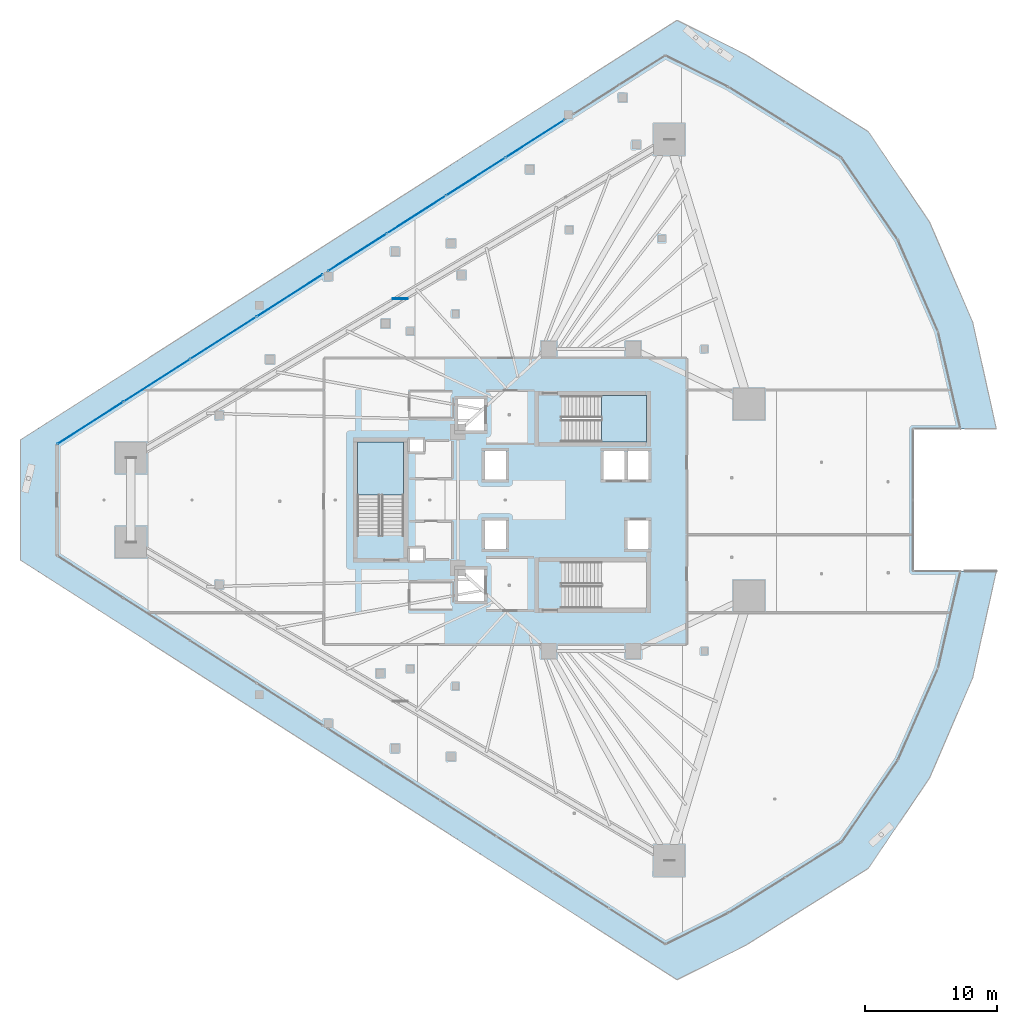
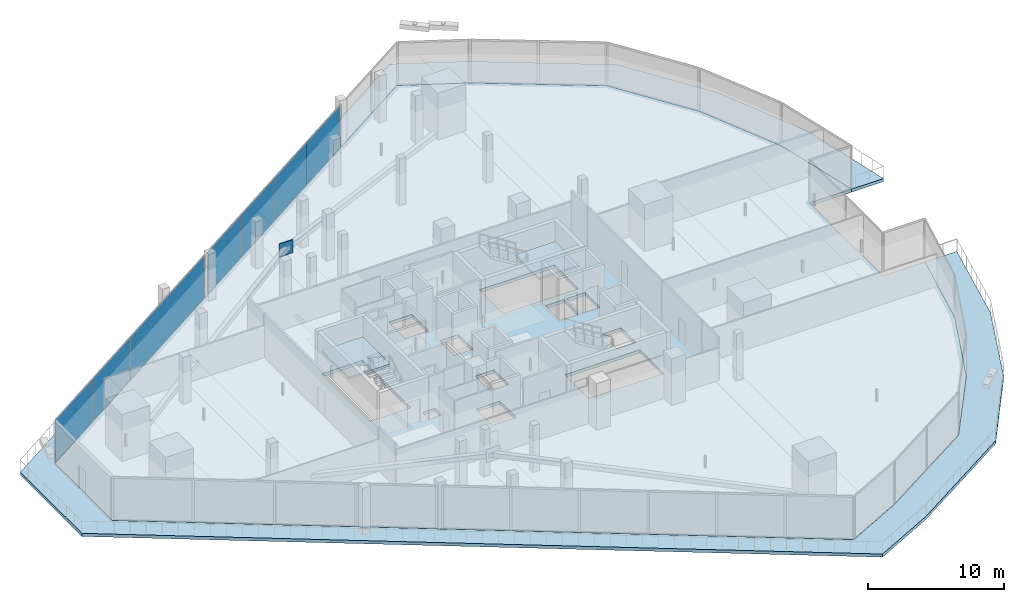
# One storey, part 28 of 43: 9 plates, 4 slabs, 4 elements without a shape of their own.
"""IFC4 building model written with IfcOpenShell, lengths in metres."""

from ifc_helpers import new_model, si_unit, direction, frame, origin, origin_2d, place, context, subcontext, project, spatial, polyline, rectangle, outline, extrude, material, layer, layer_set, type_object, element, aggregate, save


model = new_model("IFC4")

# Units and contexts
model_context = context("Model", 3, precision=1e-05, world=origin(), true_north=direction((0.0, 1.0)))
body_context = subcontext(model_context, "Body", "Model", "MODEL_VIEW")
ifc_project = project(units=[si_unit("LENGTHUNIT", "METRE"), si_unit("AREAUNIT", "SQUARE_METRE"), si_unit("VOLUMEUNIT", "CUBIC_METRE"), si_unit("PLANEANGLEUNIT", "RADIAN"), si_unit("MASSUNIT", "GRAM", prefix="KILO")], contexts=[model_context])

# Site, building, storey
site_placement = place(None, origin())
site = spatial("IfcSite", under=ifc_project, at=site_placement, CompositionType="ELEMENT")
building_placement = place(site_placement, origin())
building = spatial("IfcBuilding", under=site, at=building_placement, Name="Qorvath Tower", CompositionType="ELEMENT")
storey_placement = place(building_placement, frame((0.0, 0.0, 36.60009765625)))
storey = spatial("IfcBuildingStorey", under=building, at=storey_placement, Name="L07", CompositionType="ELEMENT", Elevation=36.60009765625)

# Curtain wall, plates
ifc_material_1 = material(Name="Anodised aluminium and triple low-E glass", Category="aluminium")
ifc_layer_1 = layer(ifc_material_1, 0.179931640625)
ifc_layer_set_1 = layer_set([ifc_layer_1], Name="CW-SYS-2")
curtain_wall_type = type_object("IfcCurtainWallType", Name="CW-SYS-2", PredefinedType="NOTDEFINED", material=ifc_layer_set_1)
curtain_wall_1_placement = place(storey_placement, origin())
curtain_wall_1 = element("IfcCurtainWall", 1, at=curtain_wall_1_placement, inside=storey, type_object=curtain_wall_type, Name="Curtain Wall CW-2 CW-T-L07-16.2", PredefinedType="NOTDEFINED")
ifc_material_2 = material(Name="Low-E triple insulated glass", Category="glass")
ifc_layer_2 = layer(ifc_material_2, 0.031982421875)
ifc_layer_set_2 = layer_set([ifc_layer_2], Name="CWP-GLZ-32")
plate_type_1 = type_object("IfcPlateType", Name="CWP-GLZ-32", PredefinedType="CURTAIN_PANEL", material=ifc_layer_set_2)
plate_1_placement = place(storey_placement, frame((-24.640869140625, 27.38818359375, 0.06494140625), z_axis=(0.0, 0.0, 1.0), x_axis=(-0.842603316479, -0.538534725955, 0.0)))
plate_1 = element("IfcPlate", 2, at=plate_1_placement, type_object=plate_type_1, Name="CW-2 panel 1.1", PredefinedType="CURTAIN_PANEL", context=body_context, shape_type="SweptSolid", body=[
    extrude(rectangle(XDim=5.24560546875, YDim=0.031982421875, at=origin_2d()), origin(), (0.0, 0.0, 1.0), 3.789794921875),
])
plate_2_placement = place(storey_placement, frame((-29.12939453125, 24.51953125, 0.06494140625), z_axis=(0.0, 0.0, 1.0), x_axis=(-0.842603316479, -0.538534725955, 0.0)))
plate_2 = element("IfcPlate", 3, at=plate_2_placement, type_object=plate_type_1, Name="CW-2 panel 2.1", PredefinedType="CURTAIN_PANEL", context=body_context, shape_type="SweptSolid", body=[
    extrude(rectangle(XDim=5.2783203125, YDim=0.031982421875, at=origin_2d()), origin(), (0.0, 0.0, 1.0), 3.789794921875),
])
plate_3_placement = place(storey_placement, frame((-33.631591796875, 21.641845703125, 0.06494140625), z_axis=(0.0, 0.0, 1.0), x_axis=(-0.842603316479, -0.538534725955, 0.0)))
plate_3 = element("IfcPlate", 4, at=plate_3_placement, type_object=plate_type_1, Name="CW-2 panel 3.1", PredefinedType="CURTAIN_PANEL", context=body_context, shape_type="SweptSolid", body=[
    extrude(rectangle(XDim=5.2783203125, YDim=0.031982421875, at=origin_2d()), origin(), (0.0, 0.0, 1.0), 3.789794921875),
])
plate_4_placement = place(storey_placement, frame((-38.1201171875, 18.773193359375, 0.06494140625), z_axis=(0.0, 0.0, 1.0), x_axis=(-0.842603316479, -0.538534725955, 0.0)))
plate_4 = element("IfcPlate", 5, at=plate_4_placement, type_object=plate_type_1, Name="CW-2 panel 4.1", PredefinedType="CURTAIN_PANEL", context=body_context, shape_type="SweptSolid", body=[
    extrude(rectangle(XDim=5.24560546875, YDim=0.031982421875, at=origin_2d()), origin(), (0.0, 0.0, 1.0), 3.789794921875),
])
aggregate(curtain_wall_1, [plate_1, plate_2, plate_3, plate_4])

curtain_wall_2_placement = place(storey_placement, origin())
curtain_wall_2 = element("IfcCurtainWall", 6, at=curtain_wall_2_placement, inside=storey, type_object=curtain_wall_type, Name="Curtain Wall CW-2 CW-T-L07-16.3", PredefinedType="NOTDEFINED")
plate_5_placement = place(storey_placement, frame((-43.240966796875, 15.5, 0.06494140625), z_axis=(0.0, 0.0, 1.0), x_axis=(-0.84260714152, -0.538528741164, 0.0)))
plate_5 = element("IfcPlate", 7, at=plate_5_placement, type_object=plate_type_1, Name="CW-2 panel 1.1", PredefinedType="CURTAIN_PANEL", context=body_context, shape_type="SweptSolid", body=[
    extrude(rectangle(XDim=5.895751953125, YDim=0.031982421875, at=origin_2d()), origin(), (0.0, 0.0, 1.0), 3.789794921875),
])
plate_6_placement = place(storey_placement, frame((-48.27734375, 12.28125, 0.06494140625), z_axis=(0.0, 0.0, 1.0), x_axis=(-0.84260714152, -0.538528741164, 0.0)))
plate_6 = element("IfcPlate", 8, at=plate_6_placement, type_object=plate_type_1, Name="CW-2 panel 2.1", PredefinedType="CURTAIN_PANEL", context=body_context, shape_type="SweptSolid", body=[
    extrude(rectangle(XDim=5.92822265625, YDim=0.031982421875, at=origin_2d()), origin(), (0.0, 0.0, 1.0), 3.789794921875),
])
plate_7_placement = place(storey_placement, frame((-53.327392578125, 9.0537109375, 0.06494140625), z_axis=(0.0, 0.0, 1.0), x_axis=(-0.84260714152, -0.538528741164, 0.0)))
plate_7 = element("IfcPlate", 9, at=plate_7_placement, type_object=plate_type_1, Name="CW-2 panel 3.1", PredefinedType="CURTAIN_PANEL", context=body_context, shape_type="SweptSolid", body=[
    extrude(rectangle(XDim=5.92822265625, YDim=0.031982421875, at=origin_2d()), origin(), (0.0, 0.0, 1.0), 3.789794921875),
])
plate_8_placement = place(storey_placement, frame((-58.363525390625, 5.8349609375, 0.06494140625), z_axis=(0.0, 0.0, 1.0), x_axis=(-0.84260714152, -0.538528741164, 0.0)))
plate_8 = element("IfcPlate", 10, at=plate_8_placement, type_object=plate_type_1, Name="CW-2 panel 4.1", PredefinedType="CURTAIN_PANEL", context=body_context, shape_type="SweptSolid", body=[
    extrude(rectangle(XDim=5.895751953125, YDim=0.031982421875, at=origin_2d()), origin(), (0.0, 0.0, 1.0), 3.789794921875),
])
aggregate(curtain_wall_2, [plate_5, plate_6, plate_7, plate_8])

# Plate
ifc_material_3 = material(Name="Steel ASTM A572 Grade 50", Category="steel")
ifc_layer_3 = layer(ifc_material_3, 0.054931640625)
ifc_layer_set_3 = layer_set([ifc_layer_3], Name="PL-MBN1")
plate_type_2 = type_object("IfcPlateType", Name="PL-MBN1", PredefinedType="USERDEFINED", material=ifc_layer_set_3)
plate_9_placement = place(storey_placement, frame((-34.873779296875, 15.2626953125, 2.9697265625), z_axis=(0.0, 0.0, 1.0), x_axis=(1.0, 0.0, 0.0)))
element("IfcPlate", 11, at=plate_9_placement, inside=storey, type_object=plate_type_2, Name="Mega-Brace Chevron Apex Gusset L07-1", ObjectType="GUSSET", PredefinedType="USERDEFINED", context=body_context, shape_type="SweptSolid", body=[
    extrude(rectangle(XDim=1.14990234375, YDim=0.054931640625, at=origin_2d()), origin(), (0.0, 0.0, 1.0), 1.199951171875),
])

# Stair, slab
ifc_material_4 = material(Name="Concrete C50/60", Category="concrete")
stair_type = type_object("IfcStairType", Name="ST-H420", PredefinedType="HALF_TURN_STAIR", material=ifc_material_4)
stair_1_placement = place(storey_placement, origin())
stair_1 = element("IfcStair", 12, at=stair_1_placement, inside=storey, type_object=stair_type, Name="L07 Tower Exit Stair 1", PredefinedType="HALF_TURN_STAIR")
ifc_material_5 = material(Name="Concrete C50/60", Category="concrete")
ifc_layer_4 = layer(ifc_material_5, 0.199951171875)
ifc_layer_set_4 = layer_set([ifc_layer_4], Name="SL-LND-200")
slab_type_1 = type_object("IfcSlabType", Name="SL-LND-200", PredefinedType="LANDING", material=ifc_layer_set_4)
slab_1_placement = place(storey_placement, frame((0.0, 0.0, 1.89990234375)))
slab_1 = element("IfcSlab", 13, at=slab_1_placement, type_object=slab_type_1, Name="TS1 landing 1", PredefinedType="LANDING", context=body_context, shape_type="SweptSolid", body=[
    extrude(outline(polyline([(-19.590087890625, 4.39990234375), (-16.199951171875, 4.39990234375), (-16.199951171875, 7.909912109375), (-19.590087890625, 7.909912109375), (-19.590087890625, 4.39990234375)])), origin(), (0.0, 0.0, 1.0), 0.199951171875),
])
aggregate(stair_1, [slab_1])

stair_2_placement = place(storey_placement, origin())
stair_2 = element("IfcStair", 14, at=stair_2_placement, inside=storey, type_object=stair_type, Name="L07 Tower Exit Stair 3", PredefinedType="HALF_TURN_STAIR")
slab_2_placement = place(storey_placement, frame((0.0, 0.0, 1.89990234375)))
slab_2 = element("IfcSlab", 15, at=slab_2_placement, type_object=slab_type_1, Name="TS3 landing 1", PredefinedType="LANDING", context=body_context, shape_type="SweptSolid", body=[
    extrude(outline(polyline([(-34.60009765625, 0.360107421875), (-34.60009765625, 4.39990234375), (-38.110107421875, 4.39990234375), (-38.110107421875, 0.360107421875), (-34.60009765625, 0.360107421875)])), origin(), (0.0, 0.0, 1.0), 0.199951171875),
])
aggregate(stair_2, [slab_2])

# Slabs
ifc_material_6 = material(Name="Precast concrete C45/55", Category="concrete")
ifc_layer_5 = layer(ifc_material_6, 0.280029296875)
ifc_layer_set_5 = layer_set([ifc_layer_5], Name="SL-LOG-280")
slab_type_2 = type_object("IfcSlabType", Name="SL-LOG-280", PredefinedType="FLOOR", material=ifc_layer_set_5)
slab_3_placement = place(storey_placement, frame((0.0, 0.0, -0.280029296875)))
element("IfcSlab", 16, at=slab_3_placement, inside=storey, type_object=slab_type_2, Name="Tower L07 Perimeter Loggia and Terrace Slab", PredefinedType="FLOOR", context=body_context, shape_type="SweptSolid", body=[
    extrude(outline(polyline([(7.604736328125, -5.39990234375), (5.906982421875, -12.77001953125), (2.873291015625, -19.697998046875), (-1.39111328125, -25.94384765625), (-9.952880859375, -31.291748046875), (-14.76708984375, -33.69873046875), (-60.90234375, -4.21240234375), (-60.90234375, 4.21240234375), (-14.76708984375, 33.69873046875), (-9.952880859375, 31.291748046875), (-1.39111328125, 25.94384765625), (2.873291015625, 19.697998046875), (5.906982421875, 12.77001953125), (7.604736328125, 5.39990234375), (10.32080078125, 5.39990234375), (8.53369140625, 13.473876953125), (5.263427734375, 21.068603515625), (0.6259765625, 27.9150390625), (-8.682373046875, 33.769287109375), (-13.877685546875, 36.3671875), (-63.666015625, 4.5458984375), (-63.666015625, -4.5458984375), (-13.877685546875, -36.3671875), (-8.682373046875, -33.769287109375), (0.6259765625, -27.9150390625), (5.263427734375, -21.068603515625), (8.53369140625, -13.473876953125), (10.32080078125, -5.39990234375), (7.604736328125, -5.39990234375)])), origin(), (0.0, 0.0, 1.0), 0.280029296875),
])
ifc_material_7 = material(Name="Concrete C45/55", Category="concrete")
ifc_layer_6 = layer(ifc_material_7, 0.280029296875)
ifc_layer_set_6 = layer_set([ifc_layer_6], Name="SL-TYP-280")
slab_type_3 = type_object("IfcSlabType", Name="SL-TYP-280", PredefinedType="FLOOR", material=ifc_layer_set_6)
slab_4_placement = place(storey_placement, frame((0.0, 0.0, -0.280029296875)))
element("IfcSlab", 17, at=slab_4_placement, inside=storey, type_object=slab_type_3, Name="Tower L07 Interior Floor Slab", PredefinedType="FLOOR", context=body_context, shape_type="SweptSolid", body=[
    extrude(outline(polyline([(-60.90234375, 4.21240234375), (-60.90234375, -4.21240234375), (-14.76708984375, -33.69873046875), (-9.952880859375, -31.291748046875), (-1.39111328125, -25.94384765625), (2.873291015625, -19.697998046875), (5.906982421875, -12.77001953125), (7.604736328125, -5.39990234375), (4.0048828125, -5.39990234375), (4.0048828125, 5.39990234375), (7.604736328125, 5.39990234375), (5.906982421875, 12.77001953125), (2.873291015625, 19.697998046875), (-1.39111328125, 25.94384765625), (-9.952880859375, 31.291748046875), (-14.76708984375, 33.69873046875), (-60.90234375, 4.21240234375)]), holes=[polyline([(-17.64990234375, -3.699951171875), (-17.64990234375, -1.550048828125), (-16.050048828125, -1.550048828125), (-16.050048828125, -3.699951171875), (-17.64990234375, -3.699951171875)]), polyline([(-17.64990234375, 1.550048828125), (-17.64990234375, 3.699951171875), (-16.050048828125, 3.699951171875), (-16.050048828125, 1.550048828125), (-17.64990234375, 1.550048828125)]), polyline([(-16.2451171875, -8.199951171875), (-22.625, -8.199951171875), (-22.625, -4.68994140625), (-16.2451171875, -4.68994140625), (-16.2451171875, -8.199951171875)]), polyline([(-22.625, 4.39990234375), (-22.625, 7.909912109375), (-16.2451171875, 7.909912109375), (-16.2451171875, 4.39990234375), (-22.625, 4.39990234375)]), polyline([(-17.85009765625, 1.550048828125), (-19.449951171875, 1.550048828125), (-19.449951171875, 3.699951171875), (-17.85009765625, 3.699951171875), (-17.85009765625, 1.550048828125)]), polyline([(-28.449951171875, -3.699951171875), (-28.449951171875, -1.550048828125), (-26.85009765625, -1.550048828125), (-26.85009765625, -3.699951171875), (-28.449951171875, -3.699951171875)]), polyline([(-26.85009765625, 1.550048828125), (-28.449951171875, 1.550048828125), (-28.449951171875, 3.699951171875), (-26.85009765625, 3.699951171875), (-26.85009765625, 1.550048828125)]), polyline([(-28.5, -7.64990234375), (-30.5, -7.64990234375), (-30.5, -5.25), (-28.5, -5.25), (-28.5, -7.64990234375)]), polyline([(-30.5, 5.25), (-30.5, 7.64990234375), (-28.5, 7.64990234375), (-28.5, 5.25), (-30.5, 5.25)]), polyline([(-34.14990234375, -4.6201171875), (-34.14990234375, -3.64990234375), (-33.10009765625, -3.64990234375), (-33.10009765625, -4.6201171875), (-34.14990234375, -4.6201171875)]), polyline([(-34.14990234375, 3.64990234375), (-34.14990234375, 4.6201171875), (-33.10009765625, 4.6201171875), (-33.10009765625, 3.64990234375), (-34.14990234375, 3.64990234375)]), polyline([(-34.60009765625, -2.675048828125), (-38.110107421875, -2.675048828125), (-38.110107421875, 4.35498046875), (-34.60009765625, 4.35498046875), (-34.60009765625, -2.675048828125)])]), origin(), (0.0, 0.0, 1.0), 0.280029296875),
])

save(model, "model.ifc")
